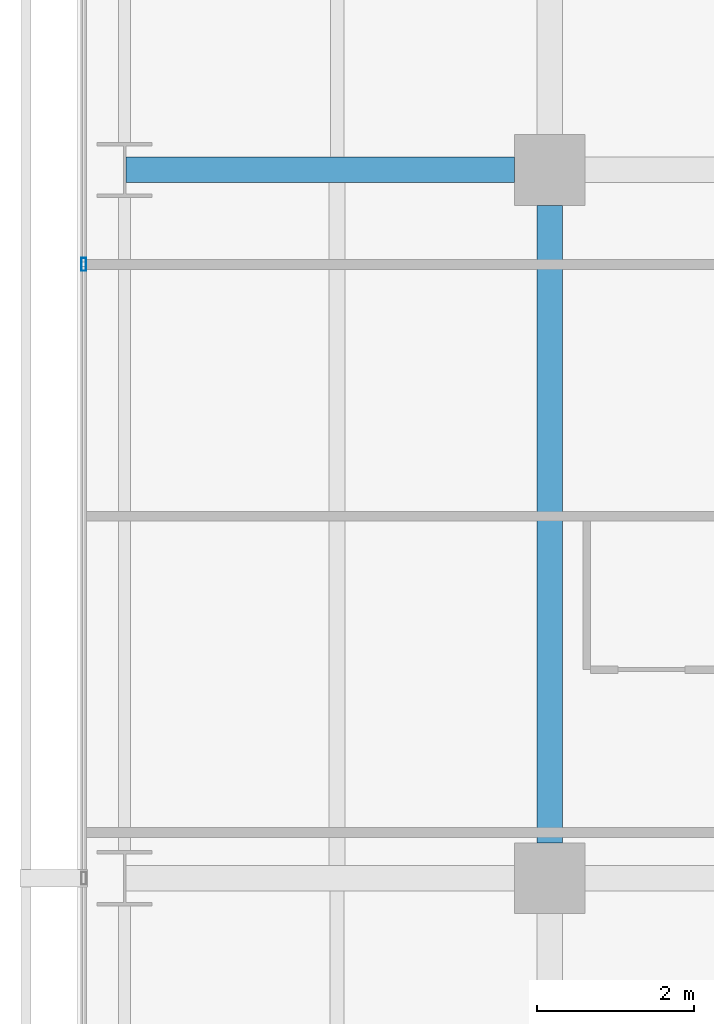
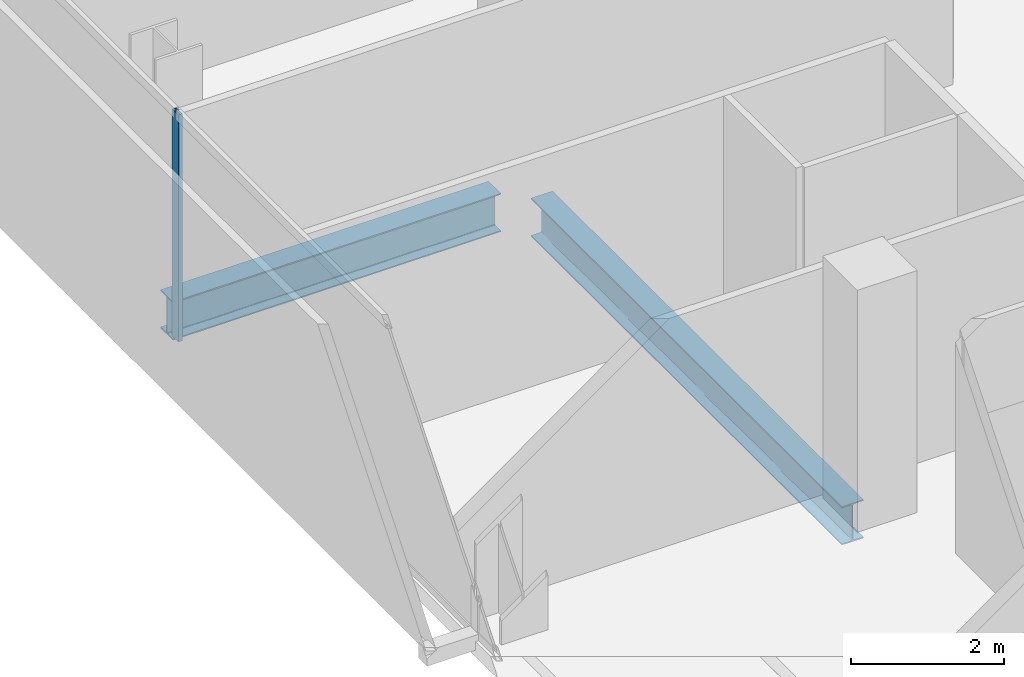
# One storey, part 21 of 40: 2 beams, 1 member, 1 element without a shape of its own.
"""IFC4 building model written with IfcOpenShell, lengths in metres."""

from ifc_helpers import new_model, si_unit, direction, frame, origin, origin_2d, place, context, subcontext, project, spatial, hollow_rectangle, i_section, extrude, material, layer, layer_set, material_profile, profile_set, type_object, element, aggregate, save


model = new_model("IFC4")

# Units and contexts
model_context = context("Model", 3, precision=1e-05, world=origin(), true_north=direction((0.0, 1.0)))
body_context = subcontext(model_context, "Body", "Model", "MODEL_VIEW")
ifc_project = project(units=[si_unit("LENGTHUNIT", "METRE"), si_unit("AREAUNIT", "SQUARE_METRE"), si_unit("VOLUMEUNIT", "CUBIC_METRE"), si_unit("PLANEANGLEUNIT", "RADIAN"), si_unit("MASSUNIT", "GRAM", prefix="KILO")], contexts=[model_context])

# Site, building, storey
site_placement = place(None, origin())
site = spatial("IfcSite", under=ifc_project, at=site_placement, CompositionType="ELEMENT")
building_placement = place(site_placement, origin())
building = spatial("IfcBuilding", under=site, at=building_placement, Name="Maruvema Waterfront Hotel and Observation Tower", CompositionType="ELEMENT")
storey_placement = place(building_placement, frame((0.0, 0.0, 77.0)))
storey = spatial("IfcBuildingStorey", under=building, at=storey_placement, Name="L18", CompositionType="ELEMENT", Elevation=77.0)

# Curtain wall, member
ifc_material_1 = material(Name="Anodised bronze aluminium and solar-control low-E IGU", Category="aluminium")
ifc_layer = layer(ifc_material_1, 0.159912109375, Name="Zone 1 Bronze Inner Thermal Curtain Wall System CW-02")
ifc_layer_set = layer_set([ifc_layer], Name="Anodised bronze aluminium and solar-control low-E IGU")
curtain_wall_type = type_object("IfcCurtainWallType", Name="Zone 1 Bronze Inner Thermal Curtain Wall System CW-02", PredefinedType="USERDEFINED", material=ifc_layer_set)
curtain_wall_placement = place(storey_placement, origin())
curtain_wall = element("IfcCurtainWall", 1, at=curtain_wall_placement, inside=storey, type_object=curtain_wall_type, Name="L18 Curtain Wall CW-L18-W", ObjectType="UNITISED CURTAIN WALL", PredefinedType="USERDEFINED")
ifc_material_2 = material(Name="Anodised architectural bronze aluminium", Category="aluminium")
ifc_material_profile_1 = material_profile(ifc_material_2, hollow_rectangle(XDim=0.06494140625, YDim=0.1650390625, WallThickness=0.00390625, at=origin_2d()), Name="ALU-M65x165")
ifc_profile_set_1 = profile_set([ifc_material_profile_1], Name="Anodised architectural bronze aluminium")
member_type = type_object("IfcMemberType", Name="Curtain Wall Primary Mullion ALU-M65x165", PredefinedType="MULLION", material=ifc_profile_set_1)
member_placement = place(storey_placement, frame((10.8798828125, 34.800048828125, 0.0), z_axis=(0.0, 0.0, 1.0), x_axis=(1.0, 0.0, 0.0)))
member = element("IfcMember", 2, at=member_placement, type_object=member_type, Name="CW-02 mullion 3", PredefinedType="MULLION", context=body_context, shape_type="SweptSolid", body=[
    extrude(hollow_rectangle(XDim=0.06494140625, YDim=0.1650390625, WallThickness=0.00390625, at=origin_2d()), origin(), (0.0, 0.0, 1.0), 3.610107421875),
])
aggregate(curtain_wall, [member])

# Beams
ifc_material_3 = material(Name="Steel ASTM A572 Grade 50", Category="steel")
ifc_material_profile_2 = material_profile(ifc_material_3, i_section(OverallWidth=0.323974609375, OverallDepth=0.611083984375, WebThickness=0.0126953125, FlangeThickness=0.01904296875, FilletRadius=0.01806640625, at=origin_2d()), Name="W610x155.0")
ifc_profile_set_2 = profile_set([ifc_material_profile_2], Name="Steel ASTM A572 Grade 50")
beam_type = type_object("IfcBeamType", Name="Primary Floor Girder W610x155.0", PredefinedType="BEAM", material=ifc_profile_set_2)
beam_1_placement = place(storey_placement, frame((11.4140625, 36.0, -0.54541015625), z_axis=(1.0, 0.0, 0.0), x_axis=(0.0, 1.0, 0.0)))
element("IfcBeam", 3, at=beam_1_placement, inside=storey, type_object=beam_type, Name="L18 Floor Girder EW-25", PredefinedType="BEAM", context=body_context, shape_type="SweptSolid", body=[
    extrude(i_section(OverallWidth=0.323974609375, OverallDepth=0.611083984375, WebThickness=0.0126953125, FlangeThickness=0.01904296875, FilletRadius=0.01806640625, at=origin_2d()), origin(), (0.0, 0.0, 1.0), 4.93603515625),
])
beam_2_placement = place(storey_placement, frame((16.800048828125, 27.449951171875, -0.54541015625), z_axis=(0.0, 1.0, 0.0), x_axis=(-1.0, 0.0, 0.0)))
element("IfcBeam", 4, at=beam_2_placement, inside=storey, type_object=beam_type, Name="L18 Floor Girder NS-08", PredefinedType="BEAM", context=body_context, shape_type="SweptSolid", body=[
    extrude(i_section(OverallWidth=0.323974609375, OverallDepth=0.611083984375, WebThickness=0.0126953125, FlangeThickness=0.01904296875, FilletRadius=0.01806640625, at=origin_2d()), origin(), (0.0, 0.0, 1.0), 8.10009765625),
])

save(model, "model.ifc")
